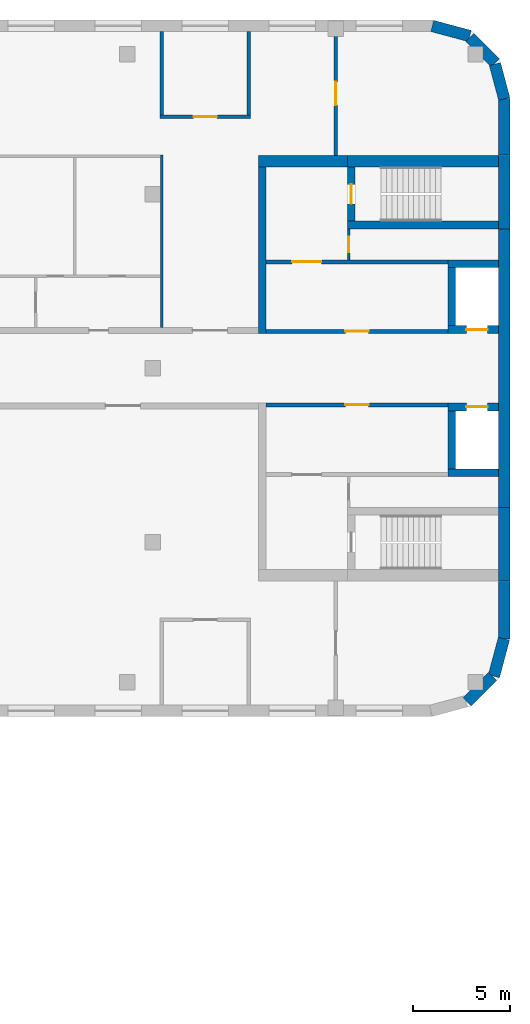
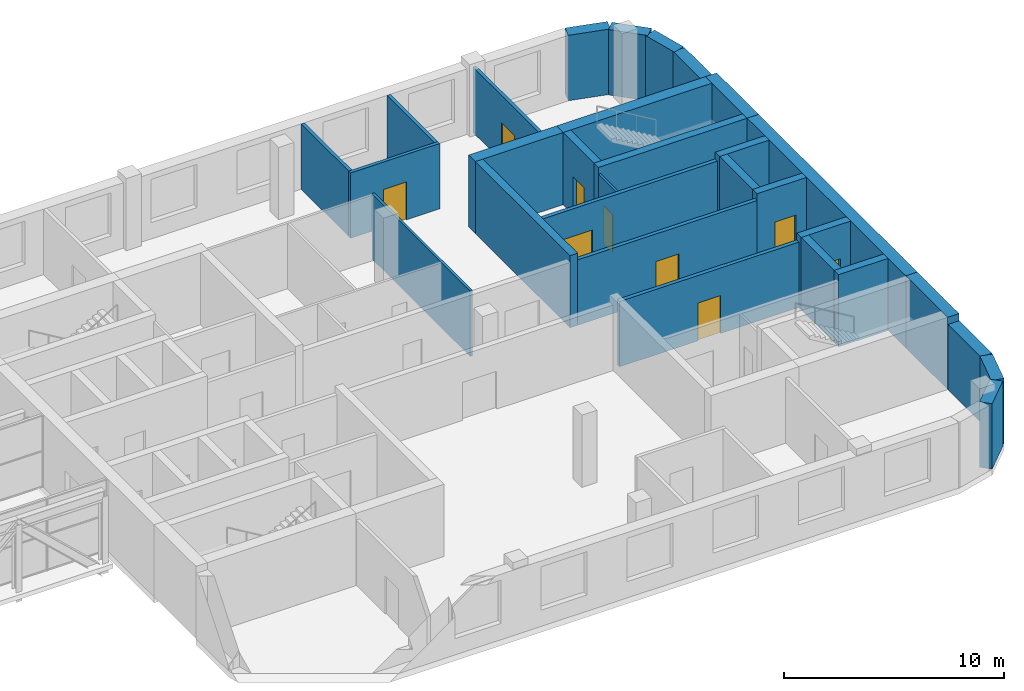
# One storey, part 12 of 18: 30 walls, 9 doors, 9 openings.
"""IFC4 building model written with IfcOpenShell, lengths in metres."""

from ifc_helpers import new_model, si_unit, direction, frame, frame_2d, origin, place, context, subcontext, project, spatial, rectangle, extrude, material, layer, layer_set, type_object, element, fill, save


model = new_model("IFC4")

# Units and contexts
model_context = context("Model", 3, precision=1e-05, world=origin(), true_north=direction((0.0, 1.0)))
body_context = subcontext(model_context, "Body", "Model", "MODEL_VIEW")
ifc_project = project(units=[si_unit("LENGTHUNIT", "METRE"), si_unit("AREAUNIT", "SQUARE_METRE"), si_unit("VOLUMEUNIT", "CUBIC_METRE"), si_unit("PLANEANGLEUNIT", "RADIAN"), si_unit("MASSUNIT", "GRAM", prefix="KILO")], contexts=[model_context])

# Site, building, storey
site_placement = place(None, origin())
site = spatial("IfcSite", under=ifc_project, at=site_placement, CompositionType="ELEMENT")
building_placement = place(site_placement, origin())
building = spatial("IfcBuilding", under=site, at=building_placement, Name="Skarvind Civic Tower", CompositionType="ELEMENT")
storey_placement = place(building_placement, frame((0.0, 0.0, 31.5)))
storey = spatial("IfcBuildingStorey", under=building, at=storey_placement, Name="L06", CompositionType="ELEMENT", Elevation=31.5)

# Wall
ifc_material_1 = material(Name="Acoustic gypsum board on steel studs", Category="steel")
ifc_layer_1 = layer(ifc_material_1, 0.175048828125)
ifc_layer_set_1 = layer_set([ifc_layer_1], Name="ACOUSTIC MEETING-ROOM PARTITION 175")
wall_type_1 = type_object("IfcWallType", Name="ACOUSTIC MEETING-ROOM PARTITION 175", PredefinedType="PARTITIONING", material=ifc_layer_set_1)
wall_1_placement = place(storey_placement, frame((149.0, 141.087890625, 0.0), z_axis=(0.0, 0.0, 1.0), x_axis=(0.0, 1.0, 0.0)))
element("IfcWall", 1, at=wall_1_placement, inside=storey, type_object=wall_type_1, Name="Partition 06.011", PredefinedType="PARTITIONING", context=body_context, shape_type="SweptSolid", body=[
    extrude(rectangle(XDim=4.31201171875, YDim=0.175048828125, at=frame_2d((2.156005859375, 0.0))), origin(), (0.0, 0.0, 1.0), 3.625),
])

# Wall, opening, door
wall_2_placement = place(storey_placement, frame((153.587890625, 141.0, 0.0), z_axis=(0.0, 0.0, 1.0), x_axis=(-1.0, 0.0, 0.0)))
wall_2 = element("IfcWall", 2, at=wall_2_placement, inside=storey, type_object=wall_type_1, Name="Partition 06.013", PredefinedType="PARTITIONING", context=body_context, shape_type="SweptSolid", body=[
    extrude(rectangle(XDim=4.67578125, YDim=0.175048828125, at=frame_2d((2.337890625, 0.0))), origin(), (0.0, 0.0, 1.0), 3.625),
])
opening_1_placement = place(wall_2_placement, frame((1.738037109375, 0.0, 0.0)))
opening_1 = element("IfcOpeningElement", 3, at=opening_1_placement, cuts=wall_2, Name="Opening L06-D106", PredefinedType="OPENING", context=body_context, shape_type="SweptSolid", body=[
    extrude(rectangle(XDim=1.199951171875, YDim=2.10009765625, at=frame_2d((0.60009765625, 1.050048828125))), frame((0.0, 0.097412109375, 0.0), z_axis=(0.0, -1.0, 0.0), x_axis=(1.0, 0.0, 0.0)), (0.0, 0.0, 1.0), 0.195068359375),
])
ifc_material_2 = material(Name="Timber door leaf", Category="wood")
door_type_1 = type_object("IfcDoorType", Name="DOOR 1200X2100 DOUBLE TIMBER", OperationType="NOTDEFINED", PredefinedType="DOOR", material=ifc_material_2)
door_1_placement = place(opening_1_placement, origin())
door_1 = element("IfcDoor", 4, at=door_1_placement, inside=storey, type_object=door_type_1, Name="Door L06-D106", OperationType="DOUBLE_DOOR_SINGLE_SWING", OverallHeight=2.10009765625, OverallWidth=1.199951171875, PredefinedType="DOOR", context=body_context, shape_type="SweptSolid", body=[
    extrude(rectangle(XDim=1.199951171875, YDim=2.10009765625, at=frame_2d((0.60009765625, 1.050048828125))), frame((0.0, 0.02490234375, 0.0), z_axis=(0.0, -1.0, 0.0), x_axis=(1.0, 0.0, 0.0)), (0.0, 0.0, 1.0), 0.050048828125),
])
fill(opening_1, door_1)

# Wall
wall_3_placement = place(storey_placement, frame((153.5, 145.39990234375, 0.0), z_axis=(0.0, 0.0, 1.0), x_axis=(0.0, -1.0, 0.0)))
element("IfcWall", 5, at=wall_3_placement, inside=storey, type_object=wall_type_1, Name="Partition 06.014", PredefinedType="PARTITIONING", context=body_context, shape_type="SweptSolid", body=[
    extrude(rectangle(XDim=4.31201171875, YDim=0.175048828125, at=frame_2d((2.156005859375, 0.0))), origin(), (0.0, 0.0, 1.0), 3.625),
])

# Wall, opening, door
wall_4_placement = place(storey_placement, frame((158.0, 139.0, 0.0), z_axis=(0.0, 0.0, 1.0), x_axis=(0.0, 1.0, 0.0)))
wall_4 = element("IfcWall", 6, at=wall_4_placement, inside=storey, type_object=wall_type_1, Name="Partition 06.017", PredefinedType="PARTITIONING", context=body_context, shape_type="SweptSolid", body=[
    extrude(rectangle(XDim=6.39990234375, YDim=0.175048828125, at=frame_2d((3.199951171875, 0.0))), origin(), (0.0, 0.0, 1.0), 3.625),
])
opening_2_placement = place(wall_4_placement, frame((2.60009765625, 0.0, 0.0)))
opening_2 = element("IfcOpeningElement", 7, at=opening_2_placement, cuts=wall_4, Name="Opening L06-D108", PredefinedType="OPENING", context=body_context, shape_type="SweptSolid", body=[
    extrude(rectangle(XDim=1.199951171875, YDim=2.10009765625, at=frame_2d((0.60009765625, 1.050048828125))), frame((0.0, 0.097412109375, 0.0), z_axis=(0.0, -1.0, 0.0), x_axis=(1.0, 0.0, 0.0)), (0.0, 0.0, 1.0), 0.195068359375),
])
door_2_placement = place(opening_2_placement, origin())
door_2 = element("IfcDoor", 8, at=door_2_placement, inside=storey, type_object=door_type_1, Name="Door L06-D108", OperationType="DOUBLE_DOOR_SINGLE_SWING", OverallHeight=2.10009765625, OverallWidth=1.199951171875, PredefinedType="DOOR", context=body_context, shape_type="SweptSolid", body=[
    extrude(rectangle(XDim=1.199951171875, YDim=2.10009765625, at=frame_2d((0.60009765625, 1.050048828125))), frame((0.0, 0.02490234375, 0.0), z_axis=(0.0, -1.0, 0.0), x_axis=(1.0, 0.0, 0.0)), (0.0, 0.0, 1.0), 0.050048828125),
])
fill(opening_2, door_2)

ifc_material_3 = material(Name="Fire-rated masonry partition", Category="masonry")
ifc_layer_2 = layer(ifc_material_3, 0.199951171875)
ifc_layer_set_2 = layer_set([ifc_layer_2], Name="Core enclosure wall 200")
wall_type_2 = type_object("IfcWallType", Name="Core enclosure wall 200", PredefinedType="PARTITIONING", material=ifc_layer_set_2)
wall_5_placement = place(storey_placement, frame((163.800048828125, 126.10009765625, 0.0), z_axis=(0.0, 0.0, 1.0), x_axis=(-1.0, 0.0, 0.0)))
wall_5 = element("IfcWall", 9, at=wall_5_placement, inside=storey, type_object=wall_type_2, Name="Core wall CB", PredefinedType="PARTITIONING", context=body_context, shape_type="SweptSolid", body=[
    extrude(rectangle(XDim=9.400146484375, YDim=0.199951171875, at=frame_2d((4.7001953125, 0.0))), origin(), (0.0, 0.0, 1.0), 3.625),
])
opening_3_placement = place(wall_5_placement, frame((4.10009765625, 0.0, 0.0)))
opening_3 = element("IfcOpeningElement", 10, at=opening_3_placement, cuts=wall_5, Name="Opening D-L06-CB-03", PredefinedType="OPENING", context=body_context, shape_type="SweptSolid", body=[
    extrude(rectangle(XDim=1.199951171875, YDim=2.10009765625, at=frame_2d((0.60009765625, 1.050048828125))), frame((0.0, 0.10986328125, 0.0), z_axis=(0.0, -1.0, 0.0), x_axis=(1.0, 0.0, 0.0)), (0.0, 0.0, 1.0), 0.219970703125),
])
ifc_material_4 = material(Name="Fire-rated steel door", Category="steel")
door_type_2 = type_object("IfcDoorType", Name="Core lobby door 1200", OperationType="NOTDEFINED", PredefinedType="DOOR", material=ifc_material_4)
door_3_placement = place(opening_3_placement, origin())
door_3 = element("IfcDoor", 11, at=door_3_placement, inside=storey, type_object=door_type_2, Name="Fire door", OperationType="DOUBLE_DOOR_SINGLE_SWING", OverallHeight=2.10009765625, OverallWidth=1.199951171875, PredefinedType="DOOR", context=body_context, shape_type="SweptSolid", body=[
    extrude(rectangle(XDim=1.199951171875, YDim=2.10009765625, at=frame_2d((0.60009765625, 1.050048828125))), frame((0.0, 0.02490234375, 0.0), z_axis=(0.0, -1.0, 0.0), x_axis=(1.0, 0.0, 0.0)), (0.0, 0.0, 1.0), 0.050048828125),
])
fill(opening_3, door_3)

wall_6_placement = place(storey_placement, frame((154.39990234375, 129.89990234375, 0.0), z_axis=(0.0, 0.0, 1.0), x_axis=(1.0, 0.0, 0.0)))
wall_6 = element("IfcWall", 12, at=wall_6_placement, inside=storey, type_object=wall_type_2, Name="Core wall CB", PredefinedType="PARTITIONING", context=body_context, shape_type="SweptSolid", body=[
    extrude(rectangle(XDim=9.400146484375, YDim=0.199951171875, at=frame_2d((4.7001953125, 0.0))), origin(), (0.0, 0.0, 1.0), 3.625),
])
opening_4_placement = place(wall_6_placement, frame((4.10009765625, 0.0, 0.0)))
opening_4 = element("IfcOpeningElement", 13, at=opening_4_placement, cuts=wall_6, Name="Opening D-L06-CB-07", PredefinedType="OPENING", context=body_context, shape_type="SweptSolid", body=[
    extrude(rectangle(XDim=1.199951171875, YDim=2.10009765625, at=frame_2d((0.60009765625, 1.050048828125))), frame((0.0, 0.10986328125, 0.0), z_axis=(0.0, -1.0, 0.0), x_axis=(1.0, 0.0, 0.0)), (0.0, 0.0, 1.0), 0.219970703125),
])
door_4_placement = place(opening_4_placement, origin())
door_4 = element("IfcDoor", 14, at=door_4_placement, inside=storey, type_object=door_type_2, Name="Fire door", OperationType="DOUBLE_DOOR_SINGLE_SWING", OverallHeight=2.10009765625, OverallWidth=1.199951171875, PredefinedType="DOOR", context=body_context, shape_type="SweptSolid", body=[
    extrude(rectangle(XDim=1.199951171875, YDim=2.10009765625, at=frame_2d((0.60009765625, 1.050048828125))), frame((0.0, 0.02490234375, 0.0), z_axis=(0.0, -1.0, 0.0), x_axis=(1.0, 0.0, 0.0)), (0.0, 0.0, 1.0), 0.050048828125),
])
fill(opening_4, door_4)

wall_7_placement = place(storey_placement, frame((154.39990234375, 133.5, 0.0), z_axis=(0.0, 0.0, 1.0), x_axis=(1.0, 0.0, 0.0)))
wall_7 = element("IfcWall", 15, at=wall_7_placement, inside=storey, type_object=wall_type_2, Name="Core wall CB", PredefinedType="PARTITIONING", context=body_context, shape_type="SweptSolid", body=[
    extrude(rectangle(XDim=9.400146484375, YDim=0.199951171875, at=frame_2d((4.7001953125, 0.0))), origin(), (0.0, 0.0, 1.0), 3.625),
])
opening_5_placement = place(wall_7_placement, frame((1.35009765625, 0.0, 0.0)))
opening_5 = element("IfcOpeningElement", 16, at=opening_5_placement, cuts=wall_7, Name="Opening D-L06-CB-08", PredefinedType="OPENING", context=body_context, shape_type="SweptSolid", body=[
    extrude(rectangle(XDim=1.5, YDim=2.10009765625, at=frame_2d((0.75, 1.050048828125))), frame((0.0, 0.10986328125, 0.0), z_axis=(0.0, -1.0, 0.0), x_axis=(1.0, 0.0, 0.0)), (0.0, 0.0, 1.0), 0.219970703125),
])
door_type_3 = type_object("IfcDoorType", Name="Fire door 1500", OperationType="NOTDEFINED", PredefinedType="DOOR", material=ifc_material_4)
door_5_placement = place(opening_5_placement, origin())
door_5 = element("IfcDoor", 17, at=door_5_placement, inside=storey, type_object=door_type_3, Name="Fire door", OperationType="DOUBLE_DOOR_SINGLE_SWING", OverallHeight=2.10009765625, OverallWidth=1.5, PredefinedType="DOOR", context=body_context, shape_type="SweptSolid", body=[
    extrude(rectangle(XDim=1.5, YDim=2.10009765625, at=frame_2d((0.75, 1.050048828125))), frame((0.0, 0.02490234375, 0.0), z_axis=(0.0, -1.0, 0.0), x_axis=(1.0, 0.0, 0.0)), (0.0, 0.0, 1.0), 0.050048828125),
])
fill(opening_5, door_5)

# Wall
ifc_material_5 = material(Name="Concrete C80", Category="concrete")
ifc_layer_3 = layer(ifc_material_5, 0.39990234375)
ifc_layer_set_3 = layer_set([ifc_layer_3], Name="Core wall 400 C80")
wall_type_3 = type_object("IfcWallType", Name="Core wall 400 C80", PredefinedType="SHEAR", material=ifc_layer_set_3)
wall_8_placement = place(storey_placement, frame((166.39990234375, 135.39990234375, 0.0), z_axis=(0.0, 0.0, 1.0), x_axis=(-1.0, 0.0, 0.0)))
element("IfcWall", 18, at=wall_8_placement, inside=storey, type_object=wall_type_3, Name="Core wall CB south stair inner L06", PredefinedType="SHEAR", context=body_context, shape_type="SweptSolid", body=[
    extrude(rectangle(XDim=7.7998046875, YDim=0.39990234375, at=frame_2d((3.89990234375, 0.0))), origin(), (0.0, 0.0, 1.0), 4.0),
])

# Wall, opening, door
wall_9_placement = place(storey_placement, frame((158.800048828125, 138.39990234375, 0.0), z_axis=(0.0, 0.0, 1.0), x_axis=(0.0, -1.0, 0.0)))
wall_9 = element("IfcWall", 19, at=wall_9_placement, inside=storey, type_object=wall_type_3, Name="Core wall CB south stair end L06", PredefinedType="SHEAR", context=body_context, shape_type="SweptSolid", body=[
    extrude(rectangle(XDim=2.7998046875, YDim=0.39990234375, at=frame_2d((1.39990234375, 0.0))), origin(), (0.0, 0.0, 1.0), 4.0),
])
opening_6_placement = place(wall_9_placement, frame((0.89990234375, 0.0, 0.0)))
opening_6 = element("IfcOpeningElement", 20, at=opening_6_placement, cuts=wall_9, Name="Opening D-L06-CB-09", PredefinedType="OPENING", context=body_context, shape_type="SweptSolid", body=[
    extrude(rectangle(XDim=1.0, YDim=2.10009765625, at=frame_2d((0.5, 1.050048828125))), frame((0.0, 0.2099609375, 0.0), z_axis=(0.0, -1.0, 0.0), x_axis=(1.0, 0.0, 0.0)), (0.0, 0.0, 1.0), 0.419921875),
])
door_type_4 = type_object("IfcDoorType", Name="Fire door 1000", OperationType="NOTDEFINED", PredefinedType="DOOR", material=ifc_material_4)
door_6_placement = place(opening_6_placement, origin())
door_6 = element("IfcDoor", 21, at=door_6_placement, inside=storey, type_object=door_type_4, Name="Fire door", OperationType="SINGLE_SWING_RIGHT", OverallHeight=2.10009765625, OverallWidth=1.0, PredefinedType="DOOR", context=body_context, shape_type="SweptSolid", body=[
    extrude(rectangle(XDim=1.0, YDim=2.10009765625, at=frame_2d((0.5, 1.050048828125))), frame((0.0, 0.02490234375, 0.0), z_axis=(0.0, -1.0, 0.0), x_axis=(1.0, 0.0, 0.0)), (0.0, 0.0, 1.0), 0.050048828125),
])
fill(opening_6, door_6)

wall_10_placement = place(storey_placement, frame((166.39990234375, 130.0, 0.0), z_axis=(0.0, 0.0, 1.0), x_axis=(-1.0, 0.0, 0.0)))
wall_10 = element("IfcWall", 22, at=wall_10_placement, inside=storey, type_object=wall_type_3, Name="Core wall CB south lift row front L06", PredefinedType="SHEAR", context=body_context, shape_type="SweptSolid", body=[
    extrude(rectangle(XDim=2.599853515625, YDim=0.39990234375, at=frame_2d((1.2998046875, 0.0))), origin(), (0.0, 0.0, 1.0), 4.0),
])
opening_7_placement = place(wall_10_placement, frame((0.550048828125, 0.0, 0.0)))
opening_7 = element("IfcOpeningElement", 23, at=opening_7_placement, cuts=wall_10, Name="Opening LD08402", PredefinedType="OPENING", context=body_context, shape_type="SweptSolid", body=[
    extrude(rectangle(XDim=1.10009765625, YDim=2.10009765625, at=frame_2d((0.550048828125, 1.050048828125))), frame((0.0, 0.2099609375, 0.0), z_axis=(0.0, -1.0, 0.0), x_axis=(1.0, 0.0, 0.0)), (0.0, 0.0, 1.0), 0.419921875),
])
ifc_material_6 = material(Name="Stainless steel landing door", Category="steel")
door_type_5 = type_object("IfcDoorType", Name="Lift landing door 1100", OperationType="DOUBLE_DOOR_SLIDING", PredefinedType="DOOR", material=ifc_material_6)
door_7_placement = place(opening_7_placement, origin())
door_7 = element("IfcDoor", 24, at=door_7_placement, inside=storey, type_object=door_type_5, Name="Lift landing door", OperationType="DOUBLE_DOOR_SLIDING", OverallHeight=2.10009765625, OverallWidth=1.10009765625, PredefinedType="DOOR", context=body_context, shape_type="SweptSolid", body=[
    extrude(rectangle(XDim=1.10009765625, YDim=2.10009765625, at=frame_2d((0.550048828125, 1.050048828125))), frame((0.0, 0.02490234375, 0.0), z_axis=(0.0, -1.0, 0.0), x_axis=(1.0, 0.0, 0.0)), (0.0, 0.0, 1.0), 0.050048828125),
])
fill(opening_7, door_7)

# Walls
wall_11_placement = place(storey_placement, frame((166.39990234375, 133.39990234375, 0.0), z_axis=(0.0, 0.0, 1.0), x_axis=(-1.0, 0.0, 0.0)))
element("IfcWall", 25, at=wall_11_placement, inside=storey, type_object=wall_type_3, Name="Core wall CB south lift row back L06", PredefinedType="SHEAR", context=body_context, shape_type="SweptSolid", body=[
    extrude(rectangle(XDim=2.599853515625, YDim=0.39990234375, at=frame_2d((1.2998046875, 0.0))), origin(), (0.0, 0.0, 1.0), 4.0),
])
wall_12_placement = place(storey_placement, frame((164.0, 133.199951171875, 0.0), z_axis=(0.0, 0.0, 1.0), x_axis=(0.0, -1.0, 0.0)))
element("IfcWall", 26, at=wall_12_placement, inside=storey, type_object=wall_type_3, Name="Core wall CB south lift row division 1 L06", PredefinedType="SHEAR", context=body_context, shape_type="SweptSolid", body=[
    extrude(rectangle(XDim=3.0, YDim=0.39990234375, at=frame_2d((1.5, 0.0))), origin(), (0.0, 0.0, 1.0), 4.0),
])

# Wall, opening, door
wall_13_placement = place(storey_placement, frame((166.39990234375, 126.0, 0.0), z_axis=(0.0, 0.0, 1.0), x_axis=(-1.0, 0.0, 0.0)))
wall_13 = element("IfcWall", 27, at=wall_13_placement, inside=storey, type_object=wall_type_3, Name="Core wall CB north lift row front L06", PredefinedType="SHEAR", context=body_context, shape_type="SweptSolid", body=[
    extrude(rectangle(XDim=2.599853515625, YDim=0.39990234375, at=frame_2d((1.2998046875, 0.0))), origin(), (0.0, 0.0, 1.0), 4.0),
])
opening_8_placement = place(wall_13_placement, frame((0.550048828125, 0.0, 0.0)))
opening_8 = element("IfcOpeningElement", 28, at=opening_8_placement, cuts=wall_13, Name="Opening LD08401", PredefinedType="OPENING", context=body_context, shape_type="SweptSolid", body=[
    extrude(rectangle(XDim=1.10009765625, YDim=2.10009765625, at=frame_2d((0.550048828125, 1.050048828125))), frame((0.0, 0.2099609375, 0.0), z_axis=(0.0, -1.0, 0.0), x_axis=(1.0, 0.0, 0.0)), (0.0, 0.0, 1.0), 0.419921875),
])
door_8_placement = place(opening_8_placement, origin())
door_8 = element("IfcDoor", 29, at=door_8_placement, inside=storey, type_object=door_type_5, Name="Lift landing door", OperationType="DOUBLE_DOOR_SLIDING", OverallHeight=2.10009765625, OverallWidth=1.10009765625, PredefinedType="DOOR", context=body_context, shape_type="SweptSolid", body=[
    extrude(rectangle(XDim=1.10009765625, YDim=2.10009765625, at=frame_2d((0.550048828125, 1.050048828125))), frame((0.0, 0.02490234375, 0.0), z_axis=(0.0, -1.0, 0.0), x_axis=(1.0, 0.0, 0.0)), (0.0, 0.0, 1.0), 0.050048828125),
])
fill(opening_8, door_8)

# Walls
wall_14_placement = place(storey_placement, frame((166.39990234375, 122.60009765625, 0.0), z_axis=(0.0, 0.0, 1.0), x_axis=(-1.0, 0.0, 0.0)))
element("IfcWall", 30, at=wall_14_placement, inside=storey, type_object=wall_type_3, Name="Core wall CB north lift row back L06", PredefinedType="SHEAR", context=body_context, shape_type="SweptSolid", body=[
    extrude(rectangle(XDim=2.599853515625, YDim=0.39990234375, at=frame_2d((1.2998046875, 0.0))), origin(), (0.0, 0.0, 1.0), 4.0),
])
wall_15_placement = place(storey_placement, frame((164.0, 125.800048828125, 0.0), z_axis=(0.0, 0.0, 1.0), x_axis=(0.0, -1.0, 0.0)))
element("IfcWall", 31, at=wall_15_placement, inside=storey, type_object=wall_type_3, Name="Core wall CB north lift row division 1 L06", PredefinedType="SHEAR", context=body_context, shape_type="SweptSolid", body=[
    extrude(rectangle(XDim=3.0, YDim=0.39990234375, at=frame_2d((1.5, 0.0))), origin(), (0.0, 0.0, 1.0), 4.0),
])
wall_16_placement = place(storey_placement, frame((154.199951171875, 138.39990234375, 0.0), z_axis=(0.0, 0.0, 1.0), x_axis=(0.0, -1.0, 0.0)))
element("IfcWall", 32, at=wall_16_placement, inside=storey, type_object=wall_type_3, Name="Core wall CB south inner face L06", PredefinedType="SHEAR", context=body_context, shape_type="SweptSolid", body=[
    extrude(rectangle(XDim=8.599853515625, YDim=0.39990234375, at=frame_2d((4.2998046875, 0.0))), origin(), (0.0, 0.0, 1.0), 4.0),
])
ifc_layer_4 = layer(ifc_material_5, 0.60009765625)
ifc_layer_set_4 = layer_set([ifc_layer_4], Name="Core wall 600 C80")
wall_type_4 = type_object("IfcWallType", Name="Core wall 600 C80", PredefinedType="SHEAR", material=ifc_layer_set_4)
wall_17_placement = place(storey_placement, frame((166.699951171875, 139.0, 0.0), z_axis=(0.0, 0.0, 1.0), x_axis=(0.0, -1.0, 0.0)))
element("IfcWall", 33, at=wall_17_placement, inside=storey, type_object=wall_type_4, Name="Core wall CB tip at the south stair L06", PredefinedType="SHEAR", context=body_context, shape_type="SweptSolid", body=[
    extrude(rectangle(XDim=3.800048828125, YDim=0.60009765625, at=frame_2d((1.89990234375, 0.0))), origin(), (0.0, 0.0, 1.0), 4.0),
])
wall_18_placement = place(storey_placement, frame((166.699951171875, 135.199951171875, 0.0), z_axis=(0.0, 0.0, 1.0), x_axis=(0.0, -1.0, 0.0)))
element("IfcWall", 34, at=wall_18_placement, inside=storey, type_object=wall_type_4, Name="Core wall CB tip between the stairs L06", PredefinedType="SHEAR", context=body_context, shape_type="SweptSolid", body=[
    extrude(rectangle(XDim=14.39990234375, YDim=0.60009765625, at=frame_2d((7.199951171875, 0.0))), origin(), (0.0, 0.0, 1.0), 4.0),
])
wall_19_placement = place(storey_placement, frame((166.699951171875, 120.800048828125, 0.0), z_axis=(0.0, 0.0, 1.0), x_axis=(0.0, -1.0, 0.0)))
element("IfcWall", 35, at=wall_19_placement, inside=storey, type_object=wall_type_4, Name="Core wall CB tip at the north stair L06", PredefinedType="SHEAR", context=body_context, shape_type="SweptSolid", body=[
    extrude(rectangle(XDim=3.800048828125, YDim=0.60009765625, at=frame_2d((1.89990234375, 0.0))), origin(), (0.0, 0.0, 1.0), 4.0),
])
wall_20_placement = place(storey_placement, frame((166.39990234375, 138.699951171875, 0.0), z_axis=(0.0, 0.0, 1.0), x_axis=(-1.0, 0.0, 0.0)))
element("IfcWall", 36, at=wall_20_placement, inside=storey, type_object=wall_type_4, Name="Core wall CB south side at the stair L06", PredefinedType="SHEAR", context=body_context, shape_type="SweptSolid", body=[
    extrude(rectangle(XDim=7.7998046875, YDim=0.60009765625, at=frame_2d((3.89990234375, 0.0))), origin(), (0.0, 0.0, 1.0), 4.0),
])
wall_21_placement = place(storey_placement, frame((158.60009765625, 138.699951171875, 0.0), z_axis=(0.0, 0.0, 1.0), x_axis=(-1.0, 0.0, 0.0)))
element("IfcWall", 37, at=wall_21_placement, inside=storey, type_object=wall_type_4, Name="Core wall CB south side L06", PredefinedType="SHEAR", context=body_context, shape_type="SweptSolid", body=[
    extrude(rectangle(XDim=4.60009765625, YDim=0.60009765625, at=frame_2d((2.300048828125, 0.0))), origin(), (0.0, 0.0, 1.0), 4.0),
])

# Wall, opening, door
ifc_layer_5 = layer(ifc_material_3, 0.125)
ifc_layer_set_5 = layer_set([ifc_layer_5], Name="Riser wall 125")
wall_type_5 = type_object("IfcWallType", Name="Riser wall 125", PredefinedType="PARTITIONING", material=ifc_layer_set_5)
wall_22_placement = place(storey_placement, frame((158.66259765625, 133.60009765625, 0.0), z_axis=(0.0, 0.0, 1.0), x_axis=(0.0, 1.0, 0.0)))
wall_22 = element("IfcWall", 38, at=wall_22_placement, inside=storey, type_object=wall_type_5, Name="Core wall CB", PredefinedType="PARTITIONING", context=body_context, shape_type="SweptSolid", body=[
    extrude(rectangle(XDim=1.599853515625, YDim=0.125, at=frame_2d((0.7998046875, 0.0))), origin(), (0.0, 0.0, 1.0), 3.625),
])
opening_9_placement = place(wall_22_placement, frame((0.39990234375, 0.0, 0.0)))
opening_9 = element("IfcOpeningElement", 39, at=opening_9_placement, cuts=wall_22, Name="Opening D-L06-CB-10", PredefinedType="OPENING", context=body_context, shape_type="SweptSolid", body=[
    extrude(rectangle(XDim=0.800048828125, YDim=2.10009765625, at=frame_2d((0.39990234375, 1.050048828125))), frame((0.0, 0.072509765625, 0.0), z_axis=(0.0, -1.0, 0.0), x_axis=(1.0, 0.0, 0.0)), (0.0, 0.0, 1.0), 0.14501953125),
])
door_type_6 = type_object("IfcDoorType", Name="Core riser door 800", OperationType="NOTDEFINED", PredefinedType="DOOR", material=ifc_material_4)
door_9_placement = place(opening_9_placement, origin())
door_9 = element("IfcDoor", 40, at=door_9_placement, inside=storey, type_object=door_type_6, Name="Riser door", OperationType="SINGLE_SWING_LEFT", OverallHeight=2.10009765625, OverallWidth=0.800048828125, PredefinedType="DOOR", context=body_context, shape_type="SweptSolid", body=[
    extrude(rectangle(XDim=0.800048828125, YDim=2.10009765625, at=frame_2d((0.39990234375, 1.050048828125))), frame((0.0, 0.02490234375, 0.0), z_axis=(0.0, -1.0, 0.0), x_axis=(1.0, 0.0, 0.0)), (0.0, 0.0, 1.0), 0.050048828125),
])
fill(opening_9, door_9)

# Walls
ifc_material_7 = material(Name="Moisture-resistant gypsum board on steel studs", Category="steel")
ifc_layer_6 = layer(ifc_material_7, 0.125)
ifc_layer_set_6 = layer_set([ifc_layer_6], Name="WC PARTITION 125")
wall_type_6 = type_object("IfcWallType", Name="WC PARTITION 125", PredefinedType="PARTITIONING", material=ifc_layer_set_6)
wall_23_placement = place(storey_placement, frame((149.0, 139.011962890625, 0.0), z_axis=(0.0, 0.0, 1.0), x_axis=(0.0, -1.0, 0.0)))
element("IfcWall", 41, at=wall_23_placement, inside=storey, type_object=wall_type_6, Name="Partition 06.010", PredefinedType="PARTITIONING", context=body_context, shape_type="SweptSolid", body=[
    extrude(rectangle(XDim=8.911865234375, YDim=0.125, at=frame_2d((4.4560546875, 0.0))), origin(), (0.0, 0.0, 1.0), 3.625),
])
ifc_material_8 = material(Name="Limestone masonry cladding on insulated backing", Category="masonry")
ifc_layer_7 = layer(ifc_material_8, 0.60009765625)
ifc_layer_set_7 = layer_set([ifc_layer_7], Name="WX1 STONE FACADE WALL 600")
wall_type_7 = type_object("IfcWallType", Name="WX1 STONE FACADE WALL 600", PredefinedType="SOLIDWALL", material=ifc_layer_set_7)
wall_24_placement = place(storey_placement, frame((166.103515625, 112.063720703125, 0.0), z_axis=(0.0, 0.0, 1.0), x_axis=(-0.707106781187, -0.707106781187, 0.0)))
element("IfcWall", 42, at=wall_24_placement, inside=storey, type_object=wall_type_7, Name="STONE FACADE WALL", PredefinedType="SOLIDWALL", context=body_context, shape_type="SweptSolid", body=[
    extrude(rectangle(XDim=1.860595703125, YDim=0.60009765625, at=frame_2d((0.93017578125, 0.0))), origin(), (0.0, 0.0, 1.0), 3.625),
])
wall_25_placement = place(storey_placement, frame((166.692138671875, 114.010009765625, 0.0), z_axis=(0.0, 0.0, 1.0), x_axis=(-0.258839784042, -0.965920269068, 0.0)))
element("IfcWall", 43, at=wall_25_placement, inside=storey, type_object=wall_type_7, Name="STONE FACADE WALL", PredefinedType="SOLIDWALL", context=body_context, shape_type="SweptSolid", body=[
    extrude(rectangle(XDim=2.00048828125, YDim=0.60009765625, at=frame_2d((1.000244140625, 0.0))), origin(), (0.0, 0.0, 1.0), 3.625),
])
wall_26_placement = place(storey_placement, frame((166.699951171875, 116.97998046875, 0.0), z_axis=(0.0, 0.0, 1.0), x_axis=(0.0, -1.0, 0.0)))
element("IfcWall", 44, at=wall_26_placement, inside=storey, type_object=wall_type_7, Name="STONE FACADE WALL", PredefinedType="SOLIDWALL", context=body_context, shape_type="SweptSolid", body=[
    extrude(rectangle(XDim=2.97998046875, YDim=0.60009765625, at=frame_2d((1.489990234375, 0.0))), origin(), (0.0, 0.0, 1.0), 3.625),
])
wall_27_placement = place(storey_placement, frame((166.699951171875, 141.929931640625, 0.0), z_axis=(0.0, 0.0, 1.0), x_axis=(0.0, -1.0, 0.0)))
element("IfcWall", 45, at=wall_27_placement, inside=storey, type_object=wall_type_7, Name="STONE FACADE WALL", PredefinedType="SOLIDWALL", context=body_context, shape_type="SweptSolid", body=[
    extrude(rectangle(XDim=2.909912109375, YDim=0.60009765625, at=frame_2d((1.455078125, 0.0))), origin(), (0.0, 0.0, 1.0), 3.625),
])
for number, where, z_axis, x_axis, name in (
    (46, (166.228759765625, 143.719482421875, 0.0), (0.0, 0.0, 1.0), (0.258773254036, -0.965938094805, 0.0), "STONE FACADE WALL"),
    (47, (164.936279296875, 145.103515625, 0.0), (0.0, 0.0, 1.0), (0.707106781187, -0.707106781187, 0.0), "STONE FACADE WALL"),
):
    element("IfcWall", number, at=place(storey_placement, frame(where, z_axis=z_axis, x_axis=x_axis)), inside=storey, type_object=wall_type_7, Name=name, PredefinedType="SOLIDWALL", context=body_context, shape_type="SweptSolid", body=[
        extrude(rectangle(XDim=1.860595703125, YDim=0.60009765625, at=frame_2d((0.93017578125, 0.0))), origin(), (0.0, 0.0, 1.0), 3.625),
    ])
wall_28_placement = place(storey_placement, frame((162.989990234375, 145.692138671875, 0.0), z_axis=(0.0, 0.0, 1.0), x_axis=(0.965920269068, -0.258839784042, 0.0)))
element("IfcWall", 48, at=wall_28_placement, inside=storey, type_object=wall_type_7, Name="STONE FACADE WALL", PredefinedType="SOLIDWALL", context=body_context, shape_type="SweptSolid", body=[
    extrude(rectangle(XDim=2.00048828125, YDim=0.60009765625, at=frame_2d((1.000244140625, 0.0))), origin(), (0.0, 0.0, 1.0), 3.625),
])

save(model, "model.ifc")
